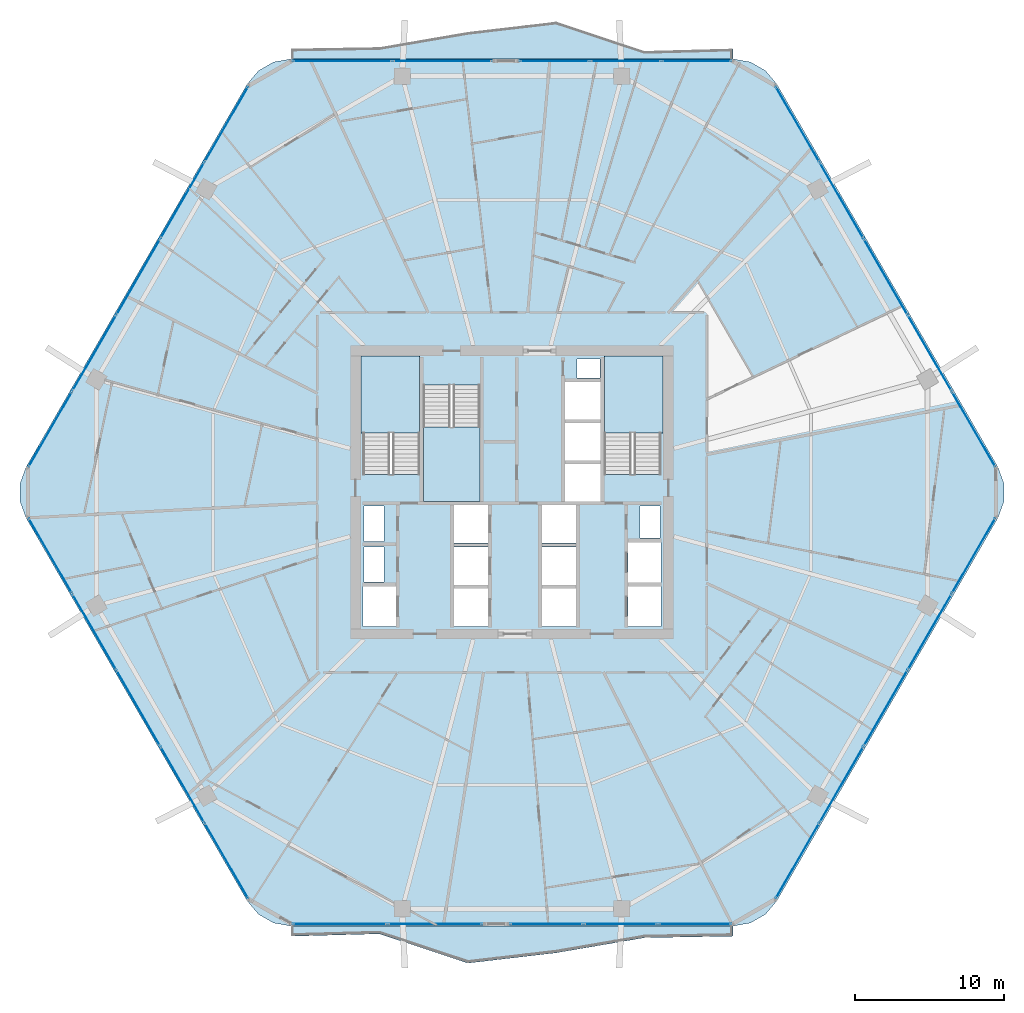
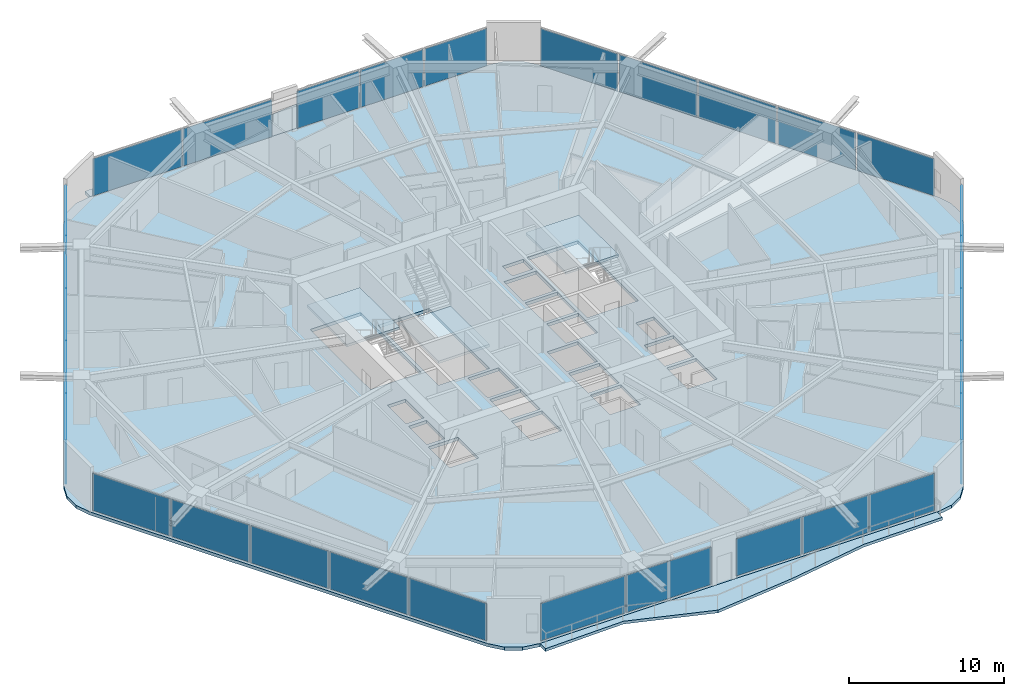
# One storey, part 23 of 33: 30 plates, 6 slabs, 11 elements without a shape of their own.
"""IFC4 building model written with IfcOpenShell, lengths in metres."""

from ifc_helpers import new_model, si_unit, direction, frame, origin, origin_2d, place, context, subcontext, project, spatial, polyline, rectangle, outline, extrude, material, layer, layer_set, type_object, element, aggregate, save


model = new_model("IFC4")

# Units and contexts
model_context = context("Model", 3, precision=1e-05, world=origin(), true_north=direction((0.0, 1.0)))
body_context = subcontext(model_context, "Body", "Model", "MODEL_VIEW")
ifc_project = project(units=[si_unit("LENGTHUNIT", "METRE"), si_unit("AREAUNIT", "SQUARE_METRE"), si_unit("VOLUMEUNIT", "CUBIC_METRE"), si_unit("PLANEANGLEUNIT", "RADIAN"), si_unit("MASSUNIT", "GRAM", prefix="KILO")], contexts=[model_context])

# Site, building, storey
site_placement = place(None, origin())
site = spatial("IfcSite", under=ifc_project, at=site_placement, CompositionType="ELEMENT")
building_placement = place(site_placement, origin())
building = spatial("IfcBuilding", under=site, at=building_placement, Name="Zuhravey Tower", CompositionType="ELEMENT")
storey_placement = place(building_placement, frame((0.0, 0.0, 126.60009765625)))
storey = spatial("IfcBuildingStorey", under=building, at=storey_placement, Name="L31", CompositionType="ELEMENT", Elevation=126.60009765625)

# Slabs
ifc_material_1 = material(Name="Concrete C50/60", Category="concrete")
ifc_layer_1 = layer(ifc_material_1, 0.25)
ifc_layer_set_1 = layer_set([ifc_layer_1], Name="Concrete C50/60")
slab_type_1 = type_object("IfcSlabType", Name="Residential Acoustic Slab 250", PredefinedType="FLOOR", material=ifc_layer_set_1)
slab_1_placement = place(storey_placement, frame((0.0, 0.0, -0.25)))
element("IfcSlab", 1, at=slab_1_placement, inside=storey, type_object=slab_type_1, Name="L31 Floor Slab FS25", PredefinedType="FLOOR", context=body_context, shape_type="SweptSolid", body=[
    extrude(outline(polyline([(68.618408203125, 30.300048828125), (69.0224609375, 31.40966796875), (69.0224609375, 32.59033203125), (68.618408203125, 33.699951171875), (53.781494140625, 59.3984375), (53.0224609375, 60.302978515625), (52.0, 60.893310546875), (50.8369140625, 61.098388671875), (21.1630859375, 61.098388671875), (20.0, 60.893310546875), (18.9775390625, 60.302978515625), (18.218505859375, 59.3984375), (3.381591796875, 33.699951171875), (2.9775390625, 32.59033203125), (2.9775390625, 31.40966796875), (3.381591796875, 30.300048828125), (18.218505859375, 4.6015625), (18.9775390625, 3.697021484375), (20.0, 3.106689453125), (21.1630859375, 2.901611328125), (50.8369140625, 2.901611328125), (52.0, 3.106689453125), (53.0224609375, 3.697021484375), (53.781494140625, 4.6015625), (68.618408203125, 30.300048828125)]), holes=[polyline([(29.800048828125, 33.20068359375), (29.800048828125, 41.0), (26.0, 41.0), (26.0, 33.20068359375), (29.800048828125, 33.20068359375)]), polyline([(46.0, 33.20068359375), (46.0, 41.0), (42.199951171875, 41.0), (42.199951171875, 33.20068359375), (46.0, 33.20068359375)]), polyline([(30.050048828125, 39.199462890625), (30.050048828125, 31.39990234375), (33.85009765625, 31.39990234375), (33.85009765625, 39.199462890625), (30.050048828125, 39.199462890625)]), polyline([(32.10009765625, 23.0), (34.39990234375, 23.0), (34.39990234375, 25.550048828125), (32.10009765625, 25.550048828125), (32.10009765625, 23.0)]), polyline([(32.10009765625, 25.800048828125), (34.39990234375, 25.800048828125), (34.39990234375, 28.35009765625), (32.10009765625, 28.35009765625), (32.10009765625, 25.800048828125)]), polyline([(32.10009765625, 28.60009765625), (34.39990234375, 28.60009765625), (34.39990234375, 31.14990234375), (32.10009765625, 31.14990234375), (32.10009765625, 28.60009765625)]), polyline([(38.0, 23.0), (40.300048828125, 23.0), (40.300048828125, 25.550048828125), (38.0, 25.550048828125), (38.0, 23.0)]), polyline([(38.0, 25.800048828125), (40.300048828125, 25.800048828125), (40.300048828125, 28.35009765625), (38.0, 28.35009765625), (38.0, 25.800048828125)]), polyline([(38.0, 28.60009765625), (40.300048828125, 28.60009765625), (40.300048828125, 31.14990234375), (38.0, 31.14990234375), (38.0, 28.60009765625)]), polyline([(39.550048828125, 31.39990234375), (41.949951171875, 31.39990234375), (41.949951171875, 33.89990234375), (39.550048828125, 33.89990234375), (39.550048828125, 31.39990234375)]), polyline([(39.550048828125, 34.14990234375), (41.949951171875, 34.14990234375), (41.949951171875, 36.64990234375), (39.550048828125, 36.64990234375), (39.550048828125, 34.14990234375)]), polyline([(39.550048828125, 36.89990234375), (41.949951171875, 36.89990234375), (41.949951171875, 39.39990234375), (39.550048828125, 39.39990234375), (39.550048828125, 36.89990234375)]), polyline([(26.0, 23.0), (28.199951171875, 23.0), (28.199951171875, 25.699951171875), (26.0, 25.699951171875), (26.0, 23.0)]), polyline([(43.800048828125, 23.0), (46.0, 23.0), (46.0, 25.699951171875), (43.800048828125, 25.699951171875), (43.800048828125, 23.0)]), polyline([(43.800048828125, 25.949951171875), (46.0, 25.949951171875), (46.0, 28.64990234375), (43.800048828125, 28.64990234375), (43.800048828125, 25.949951171875)]), polyline([(26.050048828125, 26.0), (27.39990234375, 26.0), (27.39990234375, 28.35009765625), (26.050048828125, 28.35009765625), (26.050048828125, 26.0)]), polyline([(26.050048828125, 28.699951171875), (27.39990234375, 28.699951171875), (27.39990234375, 31.10009765625), (26.050048828125, 31.10009765625), (26.050048828125, 28.699951171875)]), polyline([(44.60009765625, 28.949951171875), (45.949951171875, 28.949951171875), (45.949951171875, 31.10009765625), (44.60009765625, 31.10009765625), (44.60009765625, 28.949951171875)]), polyline([(40.35009765625, 39.699951171875), (41.89990234375, 39.699951171875), (41.89990234375, 40.949951171875), (40.35009765625, 40.949951171875), (40.35009765625, 39.699951171875)])]), origin(), (0.0, 0.0, 1.0), 0.25),
])
ifc_material_2 = material(Name="Concrete C40/50", Category="concrete")
ifc_layer_2 = layer(ifc_material_2, 0.219970703125)
ifc_layer_set_2 = layer_set([ifc_layer_2], Name="Concrete C40/50")
slab_type_2 = type_object("IfcSlabType", Name="Sinusoidal Residential Wave Balcony 220", PredefinedType="FLOOR", material=ifc_layer_set_2)
slab_2_placement = place(storey_placement, frame((0.0, 0.0, -0.22021484375)))
element("IfcSlab", 2, at=slab_2_placement, inside=storey, type_object=slab_type_2, Name="L31 Face 2 Wave Balcony WB22", PredefinedType="FLOOR", context=body_context, shape_type="SweptSolid", body=[
    extrude(outline(polyline([(50.828369140625, 61.08349609375), (21.171630859375, 61.08349609375), (21.171630859375, 61.783447265625), (27.10302734375, 61.884033203125), (33.0341796875, 62.89892578125), (38.9658203125, 63.591796875), (44.89697265625, 61.623779296875), (50.828369140625, 61.783447265625), (50.828369140625, 61.08349609375)])), origin(), (0.0, 0.0, 1.0), 0.22021484375),
])
slab_3_placement = place(storey_placement, frame((0.0, 0.0, -0.22021484375)))
element("IfcSlab", 3, at=slab_3_placement, inside=storey, type_object=slab_type_2, Name="L31 Face 5 Wave Balcony WB22", PredefinedType="FLOOR", context=body_context, shape_type="SweptSolid", body=[
    extrude(outline(polyline([(21.171630859375, 2.91650390625), (50.828369140625, 2.91650390625), (50.828369140625, 2.216552734375), (44.89697265625, 2.115966796875), (38.9658203125, 1.10107421875), (33.0341796875, 0.408203125), (27.10302734375, 2.376220703125), (21.171630859375, 2.216552734375), (21.171630859375, 2.91650390625)])), origin(), (0.0, 0.0, 1.0), 0.22021484375),
])

# Stair, slab
stair_type = type_object("IfcStairType", Name="Housing Storey Stair Assembly 3800", PredefinedType="HALF_TURN_STAIR", material=ifc_material_2)
stair_1_placement = place(storey_placement, origin())
stair_1 = element("IfcStair", 4, at=stair_1_placement, inside=storey, type_object=stair_type, Name="L31 Core Exit Stair ST1", PredefinedType="HALF_TURN_STAIR")
ifc_layer_3 = layer(ifc_material_2, 0.199951171875)
ifc_layer_set_3 = layer_set([ifc_layer_3], Name="Concrete C40/50")
slab_type_3 = type_object("IfcSlabType", Name="Stair Landing Slab 200", PredefinedType="LANDING", material=ifc_layer_set_3)
slab_4_placement = place(storey_placement, frame((0.0, 0.0, 1.699951171875)))
slab_4 = element("IfcSlab", 5, at=slab_4_placement, type_object=slab_type_3, Name="ST1 landing 1", PredefinedType="LANDING", context=body_context, shape_type="SweptSolid", body=[
    extrude(outline(polyline([(29.800048828125, 36.0), (29.800048828125, 41.14794921875), (25.85205078125, 41.14794921875), (25.85205078125, 36.0), (29.800048828125, 36.0)])), origin(), (0.0, 0.0, 1.0), 0.199951171875),
])
aggregate(stair_1, [slab_4])

stair_2_placement = place(storey_placement, origin())
stair_2 = element("IfcStair", 6, at=stair_2_placement, inside=storey, type_object=stair_type, Name="L31 Core Exit Stair ST2", PredefinedType="HALF_TURN_STAIR")
slab_5_placement = place(storey_placement, frame((0.0, 0.0, 1.699951171875)))
slab_5 = element("IfcSlab", 7, at=slab_5_placement, type_object=slab_type_3, Name="ST2 landing 1", PredefinedType="LANDING", context=body_context, shape_type="SweptSolid", body=[
    extrude(outline(polyline([(46.14794921875, 36.0), (46.14794921875, 41.14794921875), (42.199951171875, 41.14794921875), (42.199951171875, 36.0), (46.14794921875, 36.0)])), origin(), (0.0, 0.0, 1.0), 0.199951171875),
])
aggregate(stair_2, [slab_5])

stair_3_placement = place(storey_placement, origin())
stair_3 = element("IfcStair", 8, at=stair_3_placement, inside=storey, type_object=stair_type, Name="L31 Core Exit Stair ST3", PredefinedType="HALF_TURN_STAIR")
slab_6_placement = place(storey_placement, frame((0.0, 0.0, 1.699951171875)))
slab_6 = element("IfcSlab", 9, at=slab_6_placement, type_object=slab_type_3, Name="ST3 landing 1", PredefinedType="LANDING", context=body_context, shape_type="SweptSolid", body=[
    extrude(outline(polyline([(30.050048828125, 36.39990234375), (30.050048828125, 31.39990234375), (33.85009765625, 31.39990234375), (33.85009765625, 36.39990234375), (30.050048828125, 36.39990234375)])), origin(), (0.0, 0.0, 1.0), 0.199951171875),
])
aggregate(stair_3, [slab_6])

# Curtain wall, plates
ifc_material_3 = material(Name="Thermally broken anodised aluminium", Category="aluminium")
curtain_wall_type = type_object("IfcCurtainWallType", Name="Zone 1-2 Residential Curtain Wall CW3", PredefinedType="NOTDEFINED", material=ifc_material_3)
curtain_wall_1_placement = place(storey_placement, origin())
curtain_wall_1 = element("IfcCurtainWall", 10, at=curtain_wall_1_placement, inside=storey, type_object=curtain_wall_type, Name="L31 CW3 CW-L31-F6-1", PredefinedType="NOTDEFINED")
ifc_material_4 = material(Name="Triple low-E insulated vision glass", Category="glass")
ifc_layer_4 = layer(ifc_material_4, 0.0419921875)
ifc_layer_set_4 = layer_set([ifc_layer_4], Name="Triple low-E insulated vision glass")
plate_type = type_object("IfcPlateType", Name="Triple Low-E Vision Panel", PredefinedType="CURTAIN_PANEL", material=ifc_layer_set_4)
plate_1_placement = place(storey_placement, frame((66.9873046875, 27.754638671875, 0.08984375), z_axis=(0.0, 0.0, 1.0), x_axis=(-0.499999794119, -0.86602552265, 0.0)))
plate_1 = element("IfcPlate", 11, at=plate_1_placement, type_object=plate_type, Name="CW3 panel 1.1", PredefinedType="CURTAIN_PANEL", context=body_context, shape_type="SweptSolid", body=[
    extrude(rectangle(XDim=5.784912109375, YDim=0.0419921875, at=origin_2d()), origin(), (0.0, 0.0, 1.0), 2.94189453125),
])
plate_2_placement = place(storey_placement, frame((64.03857421875, 22.6474609375, 0.08984375), z_axis=(0.0, 0.0, 1.0), x_axis=(-0.499999794119, -0.86602552265, 0.0)))
plate_2 = element("IfcPlate", 12, at=plate_2_placement, type_object=plate_type, Name="CW3 panel 2.1", PredefinedType="CURTAIN_PANEL", context=body_context, shape_type="SweptSolid", body=[
    extrude(rectangle(XDim=5.829833984375, YDim=0.0419921875, at=origin_2d()), origin(), (0.0, 0.0, 1.0), 2.94189453125),
])
plate_3_placement = place(storey_placement, frame((61.078857421875, 17.520751953125, 0.08984375), z_axis=(0.0, 0.0, 1.0), x_axis=(-0.499999794119, -0.86602552265, 0.0)))
plate_3 = element("IfcPlate", 13, at=plate_3_placement, type_object=plate_type, Name="CW3 panel 3.1", PredefinedType="CURTAIN_PANEL", context=body_context, shape_type="SweptSolid", body=[
    extrude(rectangle(XDim=5.829833984375, YDim=0.0419921875, at=origin_2d()), origin(), (0.0, 0.0, 1.0), 2.94189453125),
])
plate_4_placement = place(storey_placement, frame((58.118896484375, 12.39404296875, 0.08984375), z_axis=(0.0, 0.0, 1.0), x_axis=(-0.499999794119, -0.86602552265, 0.0)))
plate_4 = element("IfcPlate", 14, at=plate_4_placement, type_object=plate_type, Name="CW3 panel 4.1", PredefinedType="CURTAIN_PANEL", context=body_context, shape_type="SweptSolid", body=[
    extrude(rectangle(XDim=5.829833984375, YDim=0.0419921875, at=origin_2d()), origin(), (0.0, 0.0, 1.0), 2.94189453125),
])
plate_5_placement = place(storey_placement, frame((55.170166015625, 7.286865234375, 0.08984375), z_axis=(0.0, 0.0, 1.0), x_axis=(-0.499999794119, -0.86602552265, 0.0)))
plate_5 = element("IfcPlate", 15, at=plate_5_placement, type_object=plate_type, Name="CW3 panel 5.1", PredefinedType="CURTAIN_PANEL", context=body_context, shape_type="SweptSolid", body=[
    extrude(rectangle(XDim=5.784912109375, YDim=0.0419921875, at=origin_2d()), origin(), (0.0, 0.0, 1.0), 2.94189453125),
])
aggregate(curtain_wall_1, [plate_1, plate_2, plate_3, plate_4, plate_5])

curtain_wall_2_placement = place(storey_placement, origin())
curtain_wall_2 = element("IfcCurtainWall", 16, at=curtain_wall_2_placement, inside=storey, type_object=curtain_wall_type, Name="L31 CW3 CW-L31-F5-1", PredefinedType="NOTDEFINED")
plate_6_placement = place(storey_placement, frame((48.276123046875, 3.04150390625, 0.08984375), z_axis=(0.0, 0.0, 1.0), x_axis=(-1.0, 0.0, 0.0)))
plate_6 = element("IfcPlate", 17, at=plate_6_placement, type_object=plate_type, Name="CW3 panel 1.1", PredefinedType="CURTAIN_PANEL", context=body_context, shape_type="SweptSolid", body=[
    extrude(rectangle(XDim=4.866943359375, YDim=0.0419921875, at=origin_2d()), origin(), (0.0, 0.0, 1.0), 2.94189453125),
])
plate_7_placement = place(storey_placement, frame((43.296630859375, 3.04150390625, 0.08984375), z_axis=(0.0, 0.0, 1.0), x_axis=(-1.0, 0.0, 0.0)))
plate_7 = element("IfcPlate", 18, at=plate_7_placement, type_object=plate_type, Name="CW3 panel 2.1", PredefinedType="CURTAIN_PANEL", context=body_context, shape_type="SweptSolid", body=[
    extrude(rectangle(XDim=4.911865234375, YDim=0.0419921875, at=origin_2d()), origin(), (0.0, 0.0, 1.0), 2.94189453125),
])
plate_8_placement = place(storey_placement, frame((38.317138671875, 3.04150390625, 0.08984375), z_axis=(0.0, 0.0, 1.0), x_axis=(-1.0, 0.0, 0.0)))
plate_8 = element("IfcPlate", 19, at=plate_8_placement, type_object=plate_type, Name="CW3 panel 3.1", PredefinedType="CURTAIN_PANEL", context=body_context, shape_type="SweptSolid", body=[
    extrude(rectangle(XDim=4.866943359375, YDim=0.0419921875, at=origin_2d()), origin(), (0.0, 0.0, 1.0), 2.94189453125),
])
aggregate(curtain_wall_2, [plate_6, plate_7, plate_8])

curtain_wall_3_placement = place(storey_placement, origin())
curtain_wall_3 = element("IfcCurtainWall", 20, at=curtain_wall_3_placement, inside=storey, type_object=curtain_wall_type, Name="L31 CW3 CW-L31-F5-2", PredefinedType="NOTDEFINED")
plate_9_placement = place(storey_placement, frame((30.847900390625, 3.04150390625, 0.08984375), z_axis=(0.0, 0.0, 1.0), x_axis=(-1.0, 0.0, 0.0)))
plate_9 = element("IfcPlate", 21, at=plate_9_placement, type_object=plate_type, Name="CW3 panel 1.1", PredefinedType="CURTAIN_PANEL", context=body_context, shape_type="SweptSolid", body=[
    extrude(rectangle(XDim=6.311767578125, YDim=0.0419921875, at=origin_2d()), origin(), (0.0, 0.0, 1.0), 2.94189453125),
])
plate_10_placement = place(storey_placement, frame((24.4462890625, 3.04150390625, 0.08984375), z_axis=(0.0, 0.0, 1.0), x_axis=(-1.0, 0.0, 0.0)))
plate_10 = element("IfcPlate", 22, at=plate_10_placement, type_object=plate_type, Name="CW3 panel 2.1", PredefinedType="CURTAIN_PANEL", context=body_context, shape_type="SweptSolid", body=[
    extrude(rectangle(XDim=6.311767578125, YDim=0.0419921875, at=origin_2d()), origin(), (0.0, 0.0, 1.0), 2.94189453125),
])
aggregate(curtain_wall_3, [plate_9, plate_10])

curtain_wall_4_placement = place(storey_placement, origin())
curtain_wall_4 = element("IfcCurtainWall", 23, at=curtain_wall_4_placement, inside=storey, type_object=curtain_wall_type, Name="L31 CW3 CW-L31-F4-1", PredefinedType="NOTDEFINED")
plate_11_placement = place(storey_placement, frame((16.829833984375, 7.286865234375, 0.08984375), z_axis=(0.0, 0.0, 1.0), x_axis=(-0.499999794119, 0.86602552265, 0.0)))
plate_11 = element("IfcPlate", 24, at=plate_11_placement, type_object=plate_type, Name="CW3 panel 1.1", PredefinedType="CURTAIN_PANEL", context=body_context, shape_type="SweptSolid", body=[
    extrude(rectangle(XDim=5.784912109375, YDim=0.0419921875, at=origin_2d()), origin(), (0.0, 0.0, 1.0), 2.94189453125),
])
plate_12_placement = place(storey_placement, frame((13.881103515625, 12.39404296875, 0.08984375), z_axis=(0.0, 0.0, 1.0), x_axis=(-0.499999794119, 0.86602552265, 0.0)))
plate_12 = element("IfcPlate", 25, at=plate_12_placement, type_object=plate_type, Name="CW3 panel 2.1", PredefinedType="CURTAIN_PANEL", context=body_context, shape_type="SweptSolid", body=[
    extrude(rectangle(XDim=5.829833984375, YDim=0.0419921875, at=origin_2d()), origin(), (0.0, 0.0, 1.0), 2.94189453125),
])
plate_13_placement = place(storey_placement, frame((10.921142578125, 17.520751953125, 0.08984375), z_axis=(0.0, 0.0, 1.0), x_axis=(-0.499999794119, 0.86602552265, 0.0)))
plate_13 = element("IfcPlate", 26, at=plate_13_placement, type_object=plate_type, Name="CW3 panel 3.1", PredefinedType="CURTAIN_PANEL", context=body_context, shape_type="SweptSolid", body=[
    extrude(rectangle(XDim=5.829833984375, YDim=0.0419921875, at=origin_2d()), origin(), (0.0, 0.0, 1.0), 2.94189453125),
])
plate_14_placement = place(storey_placement, frame((7.96142578125, 22.6474609375, 0.08984375), z_axis=(0.0, 0.0, 1.0), x_axis=(-0.499999794119, 0.86602552265, 0.0)))
plate_14 = element("IfcPlate", 27, at=plate_14_placement, type_object=plate_type, Name="CW3 panel 4.1", PredefinedType="CURTAIN_PANEL", context=body_context, shape_type="SweptSolid", body=[
    extrude(rectangle(XDim=5.829833984375, YDim=0.0419921875, at=origin_2d()), origin(), (0.0, 0.0, 1.0), 2.94189453125),
])
plate_15_placement = place(storey_placement, frame((5.0126953125, 27.754638671875, 0.08984375), z_axis=(0.0, 0.0, 1.0), x_axis=(-0.499999794119, 0.86602552265, 0.0)))
plate_15 = element("IfcPlate", 28, at=plate_15_placement, type_object=plate_type, Name="CW3 panel 5.1", PredefinedType="CURTAIN_PANEL", context=body_context, shape_type="SweptSolid", body=[
    extrude(rectangle(XDim=5.784912109375, YDim=0.0419921875, at=origin_2d()), origin(), (0.0, 0.0, 1.0), 2.94189453125),
])
aggregate(curtain_wall_4, [plate_11, plate_12, plate_13, plate_14, plate_15])

curtain_wall_5_placement = place(storey_placement, origin())
curtain_wall_5 = element("IfcCurtainWall", 29, at=curtain_wall_5_placement, inside=storey, type_object=curtain_wall_type, Name="L31 CW3 CW-L31-F3-1", PredefinedType="NOTDEFINED")
plate_16_placement = place(storey_placement, frame((5.0126953125, 36.245361328125, 0.08984375), z_axis=(0.0, 0.0, 1.0), x_axis=(0.499999794119, 0.86602552265, 0.0)))
plate_16 = element("IfcPlate", 30, at=plate_16_placement, type_object=plate_type, Name="CW3 panel 1.1", PredefinedType="CURTAIN_PANEL", context=body_context, shape_type="SweptSolid", body=[
    extrude(rectangle(XDim=5.784912109375, YDim=0.0419921875, at=origin_2d()), origin(), (0.0, 0.0, 1.0), 2.94189453125),
])
plate_17_placement = place(storey_placement, frame((7.96142578125, 41.3525390625, 0.08984375), z_axis=(0.0, 0.0, 1.0), x_axis=(0.499999794119, 0.86602552265, 0.0)))
plate_17 = element("IfcPlate", 31, at=plate_17_placement, type_object=plate_type, Name="CW3 panel 2.1", PredefinedType="CURTAIN_PANEL", context=body_context, shape_type="SweptSolid", body=[
    extrude(rectangle(XDim=5.829833984375, YDim=0.0419921875, at=origin_2d()), origin(), (0.0, 0.0, 1.0), 2.94189453125),
])
plate_18_placement = place(storey_placement, frame((10.921142578125, 46.479248046875, 0.08984375), z_axis=(0.0, 0.0, 1.0), x_axis=(0.499999794119, 0.86602552265, 0.0)))
plate_18 = element("IfcPlate", 32, at=plate_18_placement, type_object=plate_type, Name="CW3 panel 3.1", PredefinedType="CURTAIN_PANEL", context=body_context, shape_type="SweptSolid", body=[
    extrude(rectangle(XDim=5.829833984375, YDim=0.0419921875, at=origin_2d()), origin(), (0.0, 0.0, 1.0), 2.94189453125),
])
plate_19_placement = place(storey_placement, frame((13.881103515625, 51.60595703125, 0.08984375), z_axis=(0.0, 0.0, 1.0), x_axis=(0.499999794119, 0.86602552265, 0.0)))
plate_19 = element("IfcPlate", 33, at=plate_19_placement, type_object=plate_type, Name="CW3 panel 4.1", PredefinedType="CURTAIN_PANEL", context=body_context, shape_type="SweptSolid", body=[
    extrude(rectangle(XDim=5.829833984375, YDim=0.0419921875, at=origin_2d()), origin(), (0.0, 0.0, 1.0), 2.94189453125),
])
plate_20_placement = place(storey_placement, frame((16.829833984375, 56.713134765625, 0.08984375), z_axis=(0.0, 0.0, 1.0), x_axis=(0.499999794119, 0.86602552265, 0.0)))
plate_20 = element("IfcPlate", 34, at=plate_20_placement, type_object=plate_type, Name="CW3 panel 5.1", PredefinedType="CURTAIN_PANEL", context=body_context, shape_type="SweptSolid", body=[
    extrude(rectangle(XDim=5.784912109375, YDim=0.0419921875, at=origin_2d()), origin(), (0.0, 0.0, 1.0), 2.94189453125),
])
aggregate(curtain_wall_5, [plate_16, plate_17, plate_18, plate_19, plate_20])

curtain_wall_6_placement = place(storey_placement, origin())
curtain_wall_6 = element("IfcCurtainWall", 35, at=curtain_wall_6_placement, inside=storey, type_object=curtain_wall_type, Name="L31 CW3 CW-L31-F2-1", PredefinedType="NOTDEFINED")
plate_21_placement = place(storey_placement, frame((24.6083984375, 60.95849609375, 0.08984375), z_axis=(0.0, 0.0, 1.0), x_axis=(1.0, 0.0, 0.0)))
plate_21 = element("IfcPlate", 36, at=plate_21_placement, type_object=plate_type, Name="CW3 panel 1.1", PredefinedType="CURTAIN_PANEL", context=body_context, shape_type="SweptSolid", body=[
    extrude(rectangle(XDim=6.635986328125, YDim=0.0419921875, at=origin_2d()), origin(), (0.0, 0.0, 1.0), 2.94189453125),
])
plate_22_placement = place(storey_placement, frame((31.334228515625, 60.95849609375, 0.08984375), z_axis=(0.0, 0.0, 1.0), x_axis=(1.0, 0.0, 0.0)))
plate_22 = element("IfcPlate", 37, at=plate_22_placement, type_object=plate_type, Name="CW3 panel 2.1", PredefinedType="CURTAIN_PANEL", context=body_context, shape_type="SweptSolid", body=[
    extrude(rectangle(XDim=6.635986328125, YDim=0.0419921875, at=origin_2d()), origin(), (0.0, 0.0, 1.0), 2.94189453125),
])
aggregate(curtain_wall_6, [plate_21, plate_22])

curtain_wall_7_placement = place(storey_placement, origin())
curtain_wall_7 = element("IfcCurtainWall", 38, at=curtain_wall_7_placement, inside=storey, type_object=curtain_wall_type, Name="L31 CW3 CW-L31-F2-2", PredefinedType="NOTDEFINED")
plate_23_placement = place(storey_placement, frame((38.857666015625, 60.95849609375, 0.08984375), z_axis=(0.0, 0.0, 1.0), x_axis=(1.0, 0.0, 0.0)))
plate_23 = element("IfcPlate", 39, at=plate_23_placement, type_object=plate_type, Name="CW3 panel 1.1", PredefinedType="CURTAIN_PANEL", context=body_context, shape_type="SweptSolid", body=[
    extrude(rectangle(XDim=4.650634765625, YDim=0.0419921875, at=origin_2d()), origin(), (0.0, 0.0, 1.0), 2.94189453125),
])
plate_24_placement = place(storey_placement, frame((43.620849609375, 60.95849609375, 0.08984375), z_axis=(0.0, 0.0, 1.0), x_axis=(1.0, 0.0, 0.0)))
plate_24 = element("IfcPlate", 40, at=plate_24_placement, type_object=plate_type, Name="CW3 panel 2.1", PredefinedType="CURTAIN_PANEL", context=body_context, shape_type="SweptSolid", body=[
    extrude(rectangle(XDim=4.69580078125, YDim=0.0419921875, at=origin_2d()), origin(), (0.0, 0.0, 1.0), 2.94189453125),
])
plate_25_placement = place(storey_placement, frame((48.384033203125, 60.95849609375, 0.08984375), z_axis=(0.0, 0.0, 1.0), x_axis=(1.0, 0.0, 0.0)))
plate_25 = element("IfcPlate", 41, at=plate_25_placement, type_object=plate_type, Name="CW3 panel 3.1", PredefinedType="CURTAIN_PANEL", context=body_context, shape_type="SweptSolid", body=[
    extrude(rectangle(XDim=4.650634765625, YDim=0.0419921875, at=origin_2d()), origin(), (0.0, 0.0, 1.0), 2.94189453125),
])
aggregate(curtain_wall_7, [plate_23, plate_24, plate_25])

curtain_wall_8_placement = place(storey_placement, origin())
curtain_wall_8 = element("IfcCurtainWall", 42, at=curtain_wall_8_placement, inside=storey, type_object=curtain_wall_type, Name="L31 CW3 CW-L31-F1-1", PredefinedType="NOTDEFINED")
plate_26_placement = place(storey_placement, frame((55.170166015625, 56.713134765625, 0.08984375), z_axis=(0.0, 0.0, 1.0), x_axis=(0.499999794119, -0.86602552265, 0.0)))
plate_26 = element("IfcPlate", 43, at=plate_26_placement, type_object=plate_type, Name="CW3 panel 1.1", PredefinedType="CURTAIN_PANEL", context=body_context, shape_type="SweptSolid", body=[
    extrude(rectangle(XDim=5.784912109375, YDim=0.0419921875, at=origin_2d()), origin(), (0.0, 0.0, 1.0), 2.94189453125),
])
plate_27_placement = place(storey_placement, frame((58.118896484375, 51.60595703125, 0.08984375), z_axis=(0.0, 0.0, 1.0), x_axis=(0.499999794119, -0.86602552265, 0.0)))
plate_27 = element("IfcPlate", 44, at=plate_27_placement, type_object=plate_type, Name="CW3 panel 2.1", PredefinedType="CURTAIN_PANEL", context=body_context, shape_type="SweptSolid", body=[
    extrude(rectangle(XDim=5.829833984375, YDim=0.0419921875, at=origin_2d()), origin(), (0.0, 0.0, 1.0), 2.94189453125),
])
plate_28_placement = place(storey_placement, frame((61.078857421875, 46.479248046875, 0.08984375), z_axis=(0.0, 0.0, 1.0), x_axis=(0.499999794119, -0.86602552265, 0.0)))
plate_28 = element("IfcPlate", 45, at=plate_28_placement, type_object=plate_type, Name="CW3 panel 3.1", PredefinedType="CURTAIN_PANEL", context=body_context, shape_type="SweptSolid", body=[
    extrude(rectangle(XDim=5.829833984375, YDim=0.0419921875, at=origin_2d()), origin(), (0.0, 0.0, 1.0), 2.94189453125),
])
plate_29_placement = place(storey_placement, frame((64.03857421875, 41.3525390625, 0.08984375), z_axis=(0.0, 0.0, 1.0), x_axis=(0.499999794119, -0.86602552265, 0.0)))
plate_29 = element("IfcPlate", 46, at=plate_29_placement, type_object=plate_type, Name="CW3 panel 4.1", PredefinedType="CURTAIN_PANEL", context=body_context, shape_type="SweptSolid", body=[
    extrude(rectangle(XDim=5.829833984375, YDim=0.0419921875, at=origin_2d()), origin(), (0.0, 0.0, 1.0), 2.94189453125),
])
plate_30_placement = place(storey_placement, frame((66.9873046875, 36.245361328125, 0.08984375), z_axis=(0.0, 0.0, 1.0), x_axis=(0.499999794119, -0.86602552265, 0.0)))
plate_30 = element("IfcPlate", 47, at=plate_30_placement, type_object=plate_type, Name="CW3 panel 5.1", PredefinedType="CURTAIN_PANEL", context=body_context, shape_type="SweptSolid", body=[
    extrude(rectangle(XDim=5.784912109375, YDim=0.0419921875, at=origin_2d()), origin(), (0.0, 0.0, 1.0), 2.94189453125),
])
aggregate(curtain_wall_8, [plate_26, plate_27, plate_28, plate_29, plate_30])

save(model, "model.ifc")
